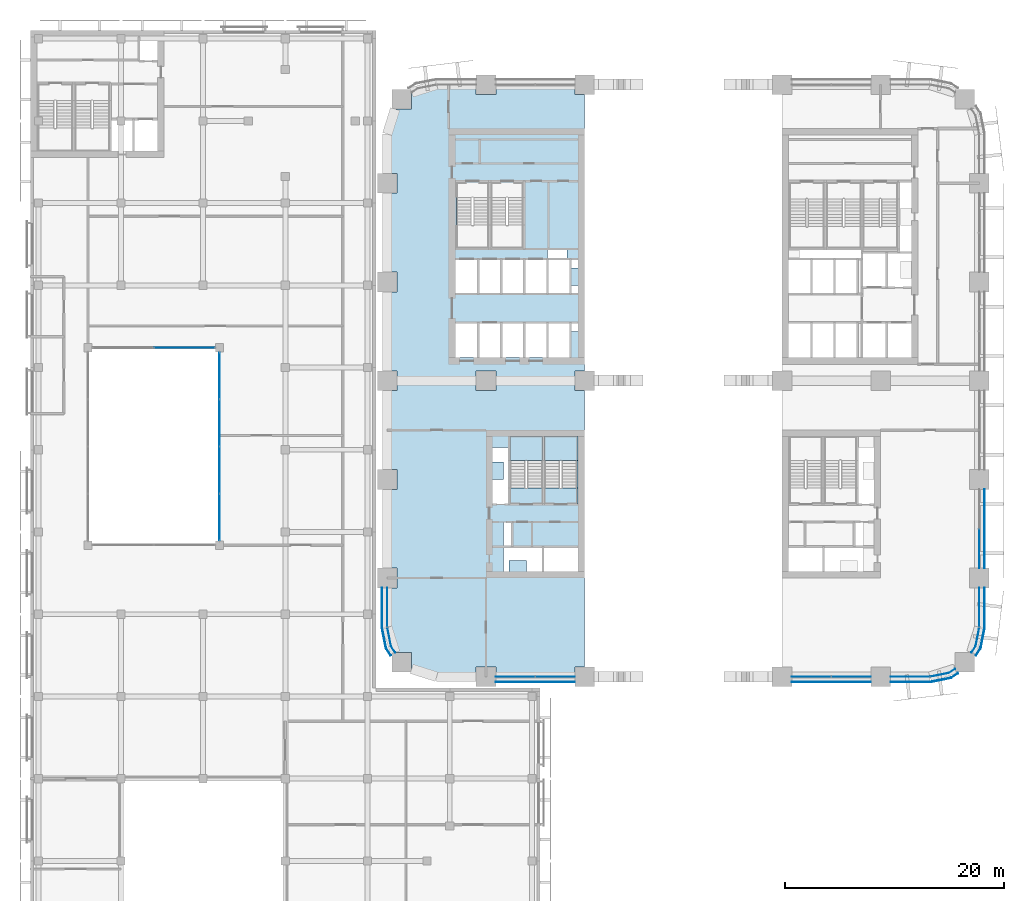
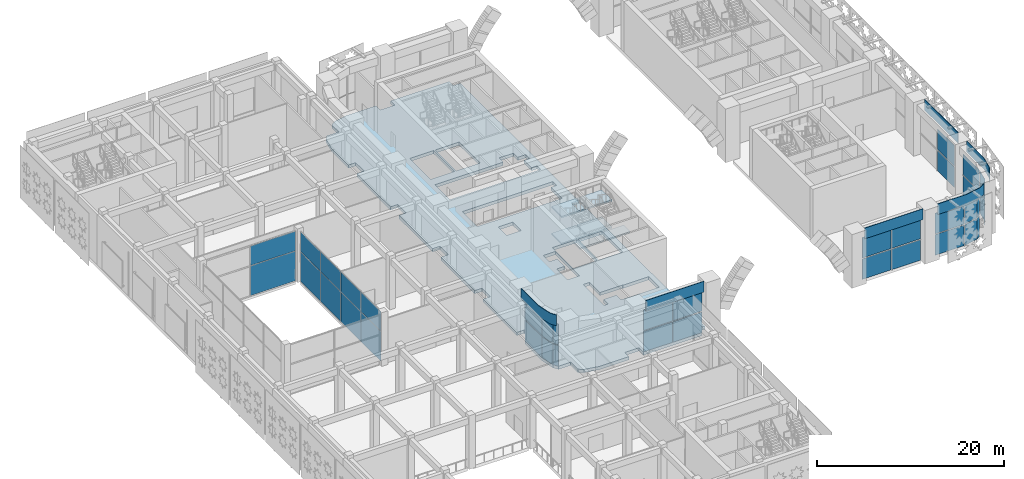
# One storey, part 11 of 42: 38 plates, 7 slabs, 10 elements without a shape of their own.
"""IFC4 building model written with IfcOpenShell, lengths in metres."""

import ifcopenshell
import ifcopenshell.guid

model = None  # the IFC model being written
_history = None  # IfcOwnerHistory: only IFC2X3 demands one
_inside = {}  # id of a spatial element -> (the spatial element, [elements in it])
_under = {}  # id of a project, library or spatial element -> (it, [spatial elements below it])
_declared = {}  # id of a project -> (the project, [libraries it declares])
_typed = {}  # id of a type object -> (the type object, [elements of that type])
_made_of = {}  # id of a material, layer set ... -> (it, [elements and type objects made of it])


def new_model(schema):
    """Start an empty IFC model of exactly this schema.

    Asked for "IFC4X3", IfcOpenShell would pick the latest addendum, in which some entities
    have other attributes; the version numbers below select the first issue.
    IFC2X3 requires an IfcOwnerHistory on every rooted entity: one is made here for all.
    """
    global model, _history
    if schema == "IFC4X3":
        model = ifcopenshell.file(schema_version=(4, 3, 0, 0))
    else:
        model = ifcopenshell.file(schema=schema)
    _inside.clear()
    _under.clear()
    _declared.clear()
    _typed.clear()
    _made_of.clear()
    _history = None
    if model.schema == "IFC2X3":
        org = make("IfcOrganization", Name="unknown")
        user = make(
            "IfcPersonAndOrganization",
            ThePerson=make("IfcPerson", FamilyName="unknown"),
            TheOrganization=org,
        )
        app = make(
            "IfcApplication",
            ApplicationDeveloper=org,
            Version="unknown",
            ApplicationFullName="unknown",
            ApplicationIdentifier="unknown",
        )
        _history = make(
            "IfcOwnerHistory",
            OwningUser=user,
            OwningApplication=app,
            ChangeAction="ADDED",
            CreationDate=0,
        )
    return model


def make(cls, **values):
    """One entity of the class cls with the attributes given. An attribute that is None is left unset."""
    return model.create_entity(
        cls, **{name: value for name, value in values.items() if value is not None}
    )


def rooted(cls, **values):
    """An entity with a GlobalId (a new one), such as an element, a storey or a relation."""
    return make(cls, GlobalId=ifcopenshell.guid.new(), OwnerHistory=_history, **values)


def si_unit(unit_type, name, prefix=None):
    """IfcSIUnit, for example si_unit("LENGTHUNIT", "METRE", prefix="MILLI")."""
    return make("IfcSIUnit", UnitType=unit_type, Prefix=prefix, Name=name)


def assignment(units):
    """IfcUnitAssignment: the units of a project."""
    return None if units is None else make("IfcUnitAssignment", Units=units)


def point(xyz):
    """IfcCartesianPoint."""
    return None if xyz is None else make("IfcCartesianPoint", Coordinates=xyz)


def direction(xyz):
    """IfcDirection."""
    return None if xyz is None else make("IfcDirection", DirectionRatios=xyz)


def frame(location, z_axis=None, x_axis=None):
    """IfcAxis2Placement3D, a coordinate frame: its origin and axes. An axis left out is left unset."""
    return make(
        "IfcAxis2Placement3D",
        Location=point(location),
        Axis=direction(z_axis),
        RefDirection=direction(x_axis),
    )


def frame_2d(location, x_axis=None):
    """IfcAxis2Placement2D, a coordinate frame in the plane: its origin and x axis."""
    return make(
        "IfcAxis2Placement2D", Location=point(location), RefDirection=direction(x_axis)
    )


def origin():
    """The frame at (0, 0, 0) with its axes left unset."""
    return frame((0.0, 0.0, 0.0))


def origin_2d():
    """The frame at (0, 0) in the plane with its x axis left unset."""
    return frame_2d((0.0, 0.0))


def place(relative_to, where):
    """IfcLocalPlacement: puts the frame where relative to a parent placement (None: the world)."""
    return make(
        "IfcLocalPlacement", PlacementRelTo=relative_to, RelativePlacement=where
    )


def context(
    kind, dimensions, precision=None, world=None, true_north=None, identifier=None
):
    """IfcGeometricRepresentationContext, for example the 3D "Model" context."""
    return make(
        "IfcGeometricRepresentationContext",
        ContextIdentifier=identifier,
        ContextType=kind,
        CoordinateSpaceDimension=dimensions,
        Precision=precision,
        WorldCoordinateSystem=world,
        TrueNorth=true_north,
    )


def subcontext(parent, identifier, kind, view, scale=None):
    """IfcGeometricRepresentationSubContext, for example "Body" below "Model"."""
    return make(
        "IfcGeometricRepresentationSubContext",
        ContextIdentifier=identifier,
        ContextType=kind,
        ParentContext=parent,
        TargetScale=scale,
        TargetView=view,
    )


def project(units=None, contexts=None):
    """IfcProject with its units and contexts."""
    return rooted(
        "IfcProject",
        Name="project",
        RepresentationContexts=contexts,
        UnitsInContext=assignment(units),
    )


def spatial(cls, under=None, at=None, **own):
    """A site, building, storey or space (cls), placed at a placement, below another one or the project."""
    s = rooted(cls, ObjectPlacement=at, **own)
    if under is not None:
        _under.setdefault(under.id(), (under, []))[1].append(s)
    return s


def polyline(points):
    """IfcPolyline through the points."""
    return make("IfcPolyline", Points=[point(p) for p in points])


def profile(cls, at=None, kind="AREA", **sizes):
    """A parametric profile (cls). Its sizes go by their IFC names, for example OverallWidth=200.0."""
    return make(cls, ProfileType=kind, Position=at, **sizes)


def rectangle(**sizes):
    """IfcRectangleProfileDef."""
    return profile("IfcRectangleProfileDef", **sizes)


def outline(outer, holes=None, kind="AREA"):
    """IfcArbitraryClosedProfileDef: a profile drawn as a closed curve; with holes, ...WithVoids."""
    if holes is None:
        return make("IfcArbitraryClosedProfileDef", ProfileType=kind, OuterCurve=outer)
    return make(
        "IfcArbitraryProfileDefWithVoids",
        ProfileType=kind,
        OuterCurve=outer,
        InnerCurves=holes,
    )


def extrude(swept, where, along, depth):
    """IfcExtrudedAreaSolid: the profile swept, set in the frame where, extruded along a direction by depth."""
    return make(
        "IfcExtrudedAreaSolid",
        SweptArea=swept,
        Position=where,
        ExtrudedDirection=direction(along),
        Depth=depth,
    )


def shape(context_of_items, identifier, shape_type, items):
    """IfcShapeRepresentation: the items that make up one representation, for example the "Body"."""
    return make(
        "IfcShapeRepresentation",
        ContextOfItems=context_of_items,
        RepresentationIdentifier=identifier,
        RepresentationType=shape_type,
        Items=items,
    )


def material(Name=None, Category=None):
    """IfcMaterial."""
    return make("IfcMaterial", Name=Name, Category=Category)


def layer(
    of_material, thickness, ventilated=None, Name=None, Category=None, Priority=None
):
    """IfcMaterialLayer: one layer of a wall or slab, of a material (None: an air gap)."""
    return make(
        "IfcMaterialLayer",
        Material=of_material,
        LayerThickness=thickness,
        IsVentilated=ventilated,
        Name=Name,
        Category=Category,
        Priority=Priority,
    )


def layer_set(layers, Name=None):
    """IfcMaterialLayerSet."""
    return make("IfcMaterialLayerSet", MaterialLayers=layers, LayerSetName=Name)


def made_of(thing, what):
    """Note that an element or type object is made of a material, layer set ...; save() writes the relation."""
    if what is not None:
        _made_of.setdefault(what.id(), (what, []))[1].append(thing)
    return thing


def type_object(cls, material=None, **own):
    """A type object (cls), such as IfcWallType, which elements share."""
    return made_of(rooted(cls, **own), material)


def element(
    cls,
    number,
    at=None,
    inside=None,
    cuts=None,
    type_object=None,
    material=None,
    context=None,
    identifier="Body",
    shape_type=None,
    held_by="IfcProductDefinitionShape",
    body=None,
    shapes=None,
    **own,
):
    """One element of the class cls, such as IfcWall. Its Tag is "e" and its number.

    at: its placement. inside: the storey or other place that contains it. cuts: it is an
    opening in that element (IfcRelVoidsElement). A single representation is given by context,
    identifier, shape_type and body (its items); several are given by shapes. held_by: the class
    of the entity that holds the representations. save() writes the other relations.
    """
    e = rooted(cls, Tag="e%d" % number, ObjectPlacement=at, **own)
    if body is not None:
        shapes = [shape(context, identifier, shape_type, body)]
    if shapes is not None:
        e.Representation = make(held_by, Representations=shapes)
    if inside is not None:
        _inside.setdefault(inside.id(), (inside, []))[1].append(e)
    if cuts is not None:
        rooted(
            "IfcRelVoidsElement", RelatingBuildingElement=cuts, RelatedOpeningElement=e
        )
    if type_object is not None:
        _typed.setdefault(type_object.id(), (type_object, []))[1].append(e)
    return made_of(e, material)


def aggregate(whole, parts):
    """IfcRelAggregates: a whole, such as a stair, and the parts it consists of."""
    return rooted("IfcRelAggregates", RelatingObject=whole, RelatedObjects=parts)


def save(model, path):
    """Write the relations noted so far, then the file.

    IfcRelAggregates (storeys below a building ...), IfcRelContainedInSpatialStructure (elements
    in a storey), IfcRelDefinesByType, IfcRelAssociatesMaterial and IfcRelDeclares: one each for
    every whole, place, type object, material and project.
    """
    for whole, parts in _under.values():
        aggregate(whole, parts)
    for where, things in _inside.values():
        rooted(
            "IfcRelContainedInSpatialStructure",
            RelatedElements=things,
            RelatingStructure=where,
        )
    for kind, things in _typed.values():
        rooted("IfcRelDefinesByType", RelatedObjects=things, RelatingType=kind)
    for what, things in _made_of.values():
        rooted("IfcRelAssociatesMaterial", RelatedObjects=things, RelatingMaterial=what)
    for by, libraries in _declared.values():
        rooted("IfcRelDeclares", RelatingContext=by, RelatedDefinitions=libraries)
    model.write(path)


model = new_model("IFC4")

# Units and contexts
model_context = context("Model", 3, precision=1e-05, world=origin(), true_north=direction((0.0, 1.0)))
body_context = subcontext(model_context, "Body", "Model", "MODEL_VIEW")
ifc_project = project(units=[si_unit("LENGTHUNIT", "METRE"), si_unit("AREAUNIT", "SQUARE_METRE"), si_unit("VOLUMEUNIT", "CUBIC_METRE"), si_unit("PLANEANGLEUNIT", "RADIAN"), si_unit("MASSUNIT", "GRAM", prefix="KILO")], contexts=[model_context])

# Site, building, storey
site_placement = place(None, origin())
site = spatial("IfcSite", under=ifc_project, at=site_placement, CompositionType="ELEMENT")
building_placement = place(site_placement, origin())
building = spatial("IfcBuilding", under=site, at=building_placement, Name="Tessera Arch", CompositionType="ELEMENT")
storey_placement = place(building_placement, frame((0.0, 0.0, 14.0)))
storey = spatial("IfcBuildingStorey", under=building, at=storey_placement, Name="L02", CompositionType="ELEMENT", Elevation=14.0)

# Curtain wall, plates
ifc_material_1 = material(Name="CW2 curtain wall")
curtain_wall_type_1 = type_object("IfcCurtainWallType", Name="CW2 curtain wall", PredefinedType="NOTDEFINED", material=ifc_material_1)
curtain_wall_1_placement = place(storey_placement, origin())
curtain_wall_1 = element("IfcCurtainWall", 1, at=curtain_wall_1_placement, inside=storey, type_object=curtain_wall_type_1, Name="CW2 curtain wall W0.0/5 L02", PredefinedType="NOTDEFINED")
ifc_material_2 = material(Name="Clear low-e glass", Category="glass")
ifc_layer_1 = layer(ifc_material_2, 0.028076171875)
ifc_layer_set_1 = layer_set([ifc_layer_1], Name="CW2 glass panel")
plate_type_1 = type_object("IfcPlateType", Name="CW2 glass panel", PredefinedType="CURTAIN_PANEL", material=ifc_layer_set_1)
plate_1_placement = place(storey_placement, frame((0.0, 6.320068359375, 0.0), z_axis=(0.0, 0.0, 1.0), x_axis=(0.0, -1.0, 0.0)))
plate_1 = element("IfcPlate", 2, at=plate_1_placement, type_object=plate_type_1, Name="CW2 glass panel W0.0/5 1.1", PredefinedType="CURTAIN_PANEL", context=body_context, shape_type="SweptSolid", body=[
    extrude(rectangle(XDim=3.56005859375, YDim=0.028076171875, at=origin_2d()), origin(), (0.0, 0.0, 1.0), 2.695068359375),
])
plate_2_placement = place(storey_placement, origin())
plate_2 = element("IfcPlate", 3, at=plate_2_placement, type_object=plate_type_1, Name="CW2 curved glass panel W0.0/5 2.1", PredefinedType="CURTAIN_PANEL", context=body_context, shape_type="SweptSolid", body=[
    extrude(outline(polyline([(0.355712890625, 2.783447265625), (0.021484375, 4.46337890625), (-0.005859375, 4.4580078125), (0.329345703125, 2.7724609375), (0.705078125, 2.210205078125), (0.728271484375, 2.225830078125), (0.355712890625, 2.783447265625)])), origin(), (0.0, 0.0, 1.0), 2.695068359375),
])
plate_3_placement = place(storey_placement, frame((0.0, 6.320068359375, 2.794921875), z_axis=(0.0, 0.0, 1.0), x_axis=(0.0, -1.0, 0.0)))
plate_3 = element("IfcPlate", 4, at=plate_3_placement, type_object=plate_type_1, Name="CW2 glass panel W0.0/5 1.2", PredefinedType="CURTAIN_PANEL", context=body_context, shape_type="SweptSolid", body=[
    extrude(rectangle(XDim=3.56005859375, YDim=0.028076171875, at=origin_2d()), origin(), (0.0, 0.0, 1.0), 2.695068359375),
])
plate_4_placement = place(storey_placement, frame((0.0, 0.0, 2.794921875)))
plate_4 = element("IfcPlate", 5, at=plate_4_placement, type_object=plate_type_1, Name="CW2 curved glass panel W0.0/5 2.2", PredefinedType="CURTAIN_PANEL", context=body_context, shape_type="SweptSolid", body=[
    extrude(outline(polyline([(0.355712890625, 2.783447265625), (0.021484375, 4.46337890625), (-0.005859375, 4.4580078125), (0.329345703125, 2.7724609375), (0.705078125, 2.210205078125), (0.728271484375, 2.225830078125), (0.355712890625, 2.783447265625)])), origin(), (0.0, 0.0, 1.0), 2.695068359375),
])

curtain_wall_2_placement = place(storey_placement, origin())
curtain_wall_2 = element("IfcCurtainWall", 6, at=curtain_wall_2_placement, inside=storey, type_object=curtain_wall_type_1, Name="CW2 curtain wall S0.36/1 L02", PredefinedType="NOTDEFINED")
plate_5_placement = place(storey_placement, frame((47.679931640625, 0.0, 0.0), z_axis=(0.0, 0.0, 1.0), x_axis=(1.0, 0.0, 0.0)))
plate_5 = element("IfcPlate", 7, at=plate_5_placement, type_object=plate_type_1, Name="CW2 glass panel S0.36/1 1.1", PredefinedType="CURTAIN_PANEL", context=body_context, shape_type="SweptSolid", body=[
    extrude(rectangle(XDim=3.56005859375, YDim=0.028076171875, at=origin_2d()), origin(), (0.0, 0.0, 1.0), 2.695068359375),
])
plate_6_placement = place(storey_placement, origin())
plate_6 = element("IfcPlate", 8, at=plate_6_placement, type_object=plate_type_1, Name="CW2 curved glass panel S0.36/1 2.1", PredefinedType="CURTAIN_PANEL", context=body_context, shape_type="SweptSolid", body=[
    extrude(outline(polyline([(51.216552734375, 0.355712890625), (49.53662109375, 0.021484375), (49.5419921875, -0.005859375), (51.2275390625, 0.329345703125), (51.789794921875, 0.705078125), (51.774169921875, 0.728271484375), (51.216552734375, 0.355712890625)])), origin(), (0.0, 0.0, 1.0), 2.695068359375),
])
plate_7_placement = place(storey_placement, frame((47.679931640625, 0.0, 2.794921875), z_axis=(0.0, 0.0, 1.0), x_axis=(1.0, 0.0, 0.0)))
plate_7 = element("IfcPlate", 9, at=plate_7_placement, type_object=plate_type_1, Name="CW2 glass panel S0.36/1 1.2", PredefinedType="CURTAIN_PANEL", context=body_context, shape_type="SweptSolid", body=[
    extrude(rectangle(XDim=3.56005859375, YDim=0.028076171875, at=origin_2d()), origin(), (0.0, 0.0, 1.0), 2.695068359375),
])
plate_8_placement = place(storey_placement, frame((0.0, 0.0, 2.794921875)))
plate_8 = element("IfcPlate", 10, at=plate_8_placement, type_object=plate_type_1, Name="CW2 curved glass panel S0.36/1 2.2", PredefinedType="CURTAIN_PANEL", context=body_context, shape_type="SweptSolid", body=[
    extrude(outline(polyline([(51.216552734375, 0.355712890625), (49.53662109375, 0.021484375), (49.5419921875, -0.005859375), (51.2275390625, 0.329345703125), (51.789794921875, 0.705078125), (51.774169921875, 0.728271484375), (51.216552734375, 0.355712890625)])), origin(), (0.0, 0.0, 1.0), 2.695068359375),
])

curtain_wall_3_placement = place(storey_placement, origin())
curtain_wall_3 = element("IfcCurtainWall", 11, at=curtain_wall_3_placement, inside=storey, type_object=curtain_wall_type_1, Name="CW2 curtain wall E54.0/5 L02", PredefinedType="NOTDEFINED")
plate_9_placement = place(storey_placement, frame((54.0, 6.320068359375, 0.0), z_axis=(0.0, 0.0, 1.0), x_axis=(0.0, 1.0, 0.0)))
plate_9 = element("IfcPlate", 12, at=plate_9_placement, type_object=plate_type_1, Name="CW2 glass panel E54.0/5 1.1", PredefinedType="CURTAIN_PANEL", context=body_context, shape_type="SweptSolid", body=[
    extrude(rectangle(XDim=3.56005859375, YDim=0.028076171875, at=origin_2d()), origin(), (0.0, 0.0, 1.0), 2.695068359375),
])
plate_10_placement = place(storey_placement, origin())
plate_10 = element("IfcPlate", 13, at=plate_10_placement, type_object=plate_type_1, Name="CW2 curved glass panel E54.0/5 2.1", PredefinedType="CURTAIN_PANEL", context=body_context, shape_type="SweptSolid", body=[
    extrude(outline(polyline([(53.644287109375, 2.783447265625), (53.271728515625, 2.225830078125), (53.294921875, 2.210205078125), (53.670654296875, 2.7724609375), (54.005859375, 4.4580078125), (53.978515625, 4.46337890625), (53.644287109375, 2.783447265625)])), origin(), (0.0, 0.0, 1.0), 2.695068359375),
])
plate_11_placement = place(storey_placement, frame((54.0, 6.320068359375, 2.794921875), z_axis=(0.0, 0.0, 1.0), x_axis=(0.0, 1.0, 0.0)))
plate_11 = element("IfcPlate", 14, at=plate_11_placement, type_object=plate_type_1, Name="CW2 glass panel E54.0/5 1.2", PredefinedType="CURTAIN_PANEL", context=body_context, shape_type="SweptSolid", body=[
    extrude(rectangle(XDim=3.56005859375, YDim=0.028076171875, at=origin_2d()), origin(), (0.0, 0.0, 1.0), 2.695068359375),
])
plate_12_placement = place(storey_placement, frame((0.0, 0.0, 2.794921875)))
plate_12 = element("IfcPlate", 15, at=plate_12_placement, type_object=plate_type_1, Name="CW2 curved glass panel E54.0/5 2.2", PredefinedType="CURTAIN_PANEL", context=body_context, shape_type="SweptSolid", body=[
    extrude(outline(polyline([(53.644287109375, 2.783447265625), (53.271728515625, 2.225830078125), (53.294921875, 2.210205078125), (53.670654296875, 2.7724609375), (54.005859375, 4.4580078125), (53.978515625, 4.46337890625), (53.644287109375, 2.783447265625)])), origin(), (0.0, 0.0, 1.0), 2.695068359375),
])

# Plate
ifc_material_3 = material(Name="Pale anodised aluminium panel", Category="aluminium")
ifc_layer_2 = layer(ifc_material_3, 0.06005859375)
ifc_layer_set_2 = layer_set([ifc_layer_2], Name="CW2 spandrel panel")
plate_type_2 = type_object("IfcPlateType", Name="CW2 spandrel panel", PredefinedType="CURTAIN_PANEL", material=ifc_layer_set_2)
plate_13_placement = place(storey_placement, frame((0.0, 0.0, 5.590087890625)))
plate_13 = element("IfcPlate", 16, at=plate_13_placement, type_object=plate_type_2, Name="CW2 spandrel panel W0.0/5", PredefinedType="CURTAIN_PANEL", context=body_context, shape_type="SweptSolid", body=[
    extrude(outline(polyline([(-0.449951171875, 4.500732421875), (-0.449951171875, 8.10009765625), (-0.510009765625, 8.10009765625), (-0.510009765625, 4.499267578125), (-0.507568359375, 4.449951171875), (-0.500244140625, 4.401123046875), (-0.157470703125, 2.677734375), (-0.1455078125, 2.6298828125), (-0.128662109375, 2.582763671875), (-0.107177734375, 2.537353515625), (-0.08203125, 2.4951171875), (0.292724609375, 1.9345703125), (0.342529296875, 1.968017578125), (-0.03125, 2.52734375), (-0.05419921875, 2.565673828125), (-0.0732421875, 2.605712890625), (-0.088134765625, 2.647216796875), (-0.09912109375, 2.69091796875), (-0.441162109375, 4.411376953125), (-0.44775390625, 4.455810546875), (-0.449951171875, 4.500732421875)])), origin(), (0.0, 0.0, 1.0), 1.409912109375),
])

aggregate(curtain_wall_1, [plate_1, plate_2, plate_3, plate_4, plate_13])

plate_14_placement = place(storey_placement, frame((0.0, 0.0, 5.590087890625)))
plate_14 = element("IfcPlate", 17, at=plate_14_placement, type_object=plate_type_2, Name="CW2 spandrel panel S0.36/1", PredefinedType="CURTAIN_PANEL", context=body_context, shape_type="SweptSolid", body=[
    extrude(outline(polyline([(49.499267578125, -0.449951171875), (45.89990234375, -0.449951171875), (45.89990234375, -0.510009765625), (49.500732421875, -0.510009765625), (49.550048828125, -0.507568359375), (49.598876953125, -0.500244140625), (51.322265625, -0.157470703125), (51.3701171875, -0.1455078125), (51.417236328125, -0.128662109375), (51.462646484375, -0.107177734375), (51.5048828125, -0.08203125), (52.0654296875, 0.292724609375), (52.031982421875, 0.342529296875), (51.47265625, -0.03125), (51.434326171875, -0.05419921875), (51.394287109375, -0.0732421875), (51.352783203125, -0.088134765625), (51.30908203125, -0.09912109375), (49.588623046875, -0.441162109375), (49.544189453125, -0.44775390625), (49.499267578125, -0.449951171875)])), origin(), (0.0, 0.0, 1.0), 1.409912109375),
])

aggregate(curtain_wall_2, [plate_5, plate_6, plate_7, plate_8, plate_14])

plate_15_placement = place(storey_placement, frame((0.0, 0.0, 5.590087890625)))
plate_15 = element("IfcPlate", 18, at=plate_15_placement, type_object=plate_type_2, Name="CW2 spandrel panel E54.0/5", PredefinedType="CURTAIN_PANEL", context=body_context, shape_type="SweptSolid", body=[
    extrude(outline(polyline([(54.03125, 2.52734375), (53.657470703125, 1.968017578125), (53.707275390625, 1.9345703125), (54.08203125, 2.4951171875), (54.107177734375, 2.537353515625), (54.128662109375, 2.582763671875), (54.1455078125, 2.6298828125), (54.157470703125, 2.677734375), (54.500244140625, 4.401123046875), (54.507568359375, 4.449951171875), (54.510009765625, 4.499267578125), (54.510009765625, 8.10009765625), (54.449951171875, 8.10009765625), (54.449951171875, 4.500732421875), (54.44775390625, 4.455810546875), (54.441162109375, 4.411376953125), (54.09912109375, 2.69091796875), (54.088134765625, 2.647216796875), (54.0732421875, 2.605712890625), (54.05419921875, 2.565673828125), (54.03125, 2.52734375)])), origin(), (0.0, 0.0, 1.0), 1.409912109375),
])

aggregate(curtain_wall_3, [plate_9, plate_10, plate_11, plate_12, plate_15])

# Curtain wall, plates
ifc_material_4 = material(Name="CW6 curtain wall")
curtain_wall_type_2 = type_object("IfcCurtainWallType", Name="CW6 curtain wall", PredefinedType="NOTDEFINED", material=ifc_material_4)
curtain_wall_4_placement = place(storey_placement, origin())
curtain_wall_4 = element("IfcCurtainWall", 19, at=curtain_wall_4_placement, inside=storey, type_object=curtain_wall_type_2, Name="CW6 curtain wall S0.0/1 L02", PredefinedType="NOTDEFINED")
ifc_material_5 = material(Name="Clear low-e glass", Category="glass")
ifc_layer_3 = layer(ifc_material_5, 0.028076171875)
ifc_layer_set_3 = layer_set([ifc_layer_3], Name="CW6 glass panel")
plate_type_3 = type_object("IfcPlateType", Name="CW6 glass panel", PredefinedType="CURTAIN_PANEL", material=ifc_layer_set_3)
plate_16_placement = place(storey_placement, frame((11.6826171875, 0.0, 0.0), z_axis=(0.0, 0.0, 1.0), x_axis=(1.0, 0.0, 0.0)))
plate_16 = element("IfcPlate", 20, at=plate_16_placement, type_object=plate_type_3, Name="CW6 glass panel S0.0/1 1.1.1", PredefinedType="CURTAIN_PANEL", context=body_context, shape_type="SweptSolid", body=[
    extrude(rectangle(XDim=3.56494140625, YDim=0.028076171875, at=origin_2d()), origin(), (0.0, 0.0, 1.0), 2.675048828125),
])
plate_17_placement = place(storey_placement, frame((11.6826171875, 0.0, 2.794921875), z_axis=(0.0, 0.0, 1.0), x_axis=(1.0, 0.0, 0.0)))
plate_17 = element("IfcPlate", 21, at=plate_17_placement, type_object=plate_type_3, Name="CW6 glass panel S0.0/1 1.1.2", PredefinedType="CURTAIN_PANEL", context=body_context, shape_type="SweptSolid", body=[
    extrude(rectangle(XDim=3.56494140625, YDim=0.028076171875, at=origin_2d()), origin(), (0.0, 0.0, 1.0), 2.675048828125),
])
plate_18_placement = place(storey_placement, frame((15.3173828125, 0.0, 0.0), z_axis=(0.0, 0.0, 1.0), x_axis=(1.0, 0.0, 0.0)))
plate_18 = element("IfcPlate", 22, at=plate_18_placement, type_object=plate_type_3, Name="CW6 glass panel S0.0/1 1.2.1", PredefinedType="CURTAIN_PANEL", context=body_context, shape_type="SweptSolid", body=[
    extrude(rectangle(XDim=3.56494140625, YDim=0.028076171875, at=origin_2d()), origin(), (0.0, 0.0, 1.0), 2.675048828125),
])
plate_19_placement = place(storey_placement, frame((15.3173828125, 0.0, 2.794921875), z_axis=(0.0, 0.0, 1.0), x_axis=(1.0, 0.0, 0.0)))
plate_19 = element("IfcPlate", 23, at=plate_19_placement, type_object=plate_type_3, Name="CW6 glass panel S0.0/1 1.2.2", PredefinedType="CURTAIN_PANEL", context=body_context, shape_type="SweptSolid", body=[
    extrude(rectangle(XDim=3.56494140625, YDim=0.028076171875, at=origin_2d()), origin(), (0.0, 0.0, 1.0), 2.675048828125),
])

curtain_wall_5_placement = place(storey_placement, origin())
curtain_wall_5 = element("IfcCurtainWall", 24, at=curtain_wall_5_placement, inside=storey, type_object=curtain_wall_type_2, Name="CW6 curtain wall E54.0/0 L02", PredefinedType="NOTDEFINED")
plate_20_placement = place(storey_placement, frame((54.0, 11.6826171875, 0.0), z_axis=(0.0, 0.0, 1.0), x_axis=(0.0, 1.0, 0.0)))
plate_20 = element("IfcPlate", 25, at=plate_20_placement, type_object=plate_type_3, Name="CW6 glass panel E54.0/0 1.1.1", PredefinedType="CURTAIN_PANEL", context=body_context, shape_type="SweptSolid", body=[
    extrude(rectangle(XDim=3.56494140625, YDim=0.028076171875, at=origin_2d()), origin(), (0.0, 0.0, 1.0), 2.675048828125),
])
plate_21_placement = place(storey_placement, frame((54.0, 11.6826171875, 2.794921875), z_axis=(0.0, 0.0, 1.0), x_axis=(0.0, 1.0, 0.0)))
plate_21 = element("IfcPlate", 26, at=plate_21_placement, type_object=plate_type_3, Name="CW6 glass panel E54.0/0 1.1.2", PredefinedType="CURTAIN_PANEL", context=body_context, shape_type="SweptSolid", body=[
    extrude(rectangle(XDim=3.56494140625, YDim=0.028076171875, at=origin_2d()), origin(), (0.0, 0.0, 1.0), 2.675048828125),
])

curtain_wall_6_placement = place(storey_placement, origin())
curtain_wall_6 = element("IfcCurtainWall", 27, at=curtain_wall_6_placement, inside=storey, type_object=curtain_wall_type_2, Name="CW6 curtain wall S0.36/0 L02", PredefinedType="NOTDEFINED")
plate_22_placement = place(storey_placement, frame((38.6826171875, 0.0, 0.0), z_axis=(0.0, 0.0, 1.0), x_axis=(1.0, 0.0, 0.0)))
plate_22 = element("IfcPlate", 28, at=plate_22_placement, type_object=plate_type_3, Name="CW6 glass panel S0.36/0 1.1.1", PredefinedType="CURTAIN_PANEL", context=body_context, shape_type="SweptSolid", body=[
    extrude(rectangle(XDim=3.56494140625, YDim=0.028076171875, at=origin_2d()), origin(), (0.0, 0.0, 1.0), 2.675048828125),
])
plate_23_placement = place(storey_placement, frame((38.6826171875, 0.0, 2.794921875), z_axis=(0.0, 0.0, 1.0), x_axis=(1.0, 0.0, 0.0)))
plate_23 = element("IfcPlate", 29, at=plate_23_placement, type_object=plate_type_3, Name="CW6 glass panel S0.36/0 1.1.2", PredefinedType="CURTAIN_PANEL", context=body_context, shape_type="SweptSolid", body=[
    extrude(rectangle(XDim=3.56494140625, YDim=0.028076171875, at=origin_2d()), origin(), (0.0, 0.0, 1.0), 2.675048828125),
])
plate_24_placement = place(storey_placement, frame((42.3173828125, 0.0, 0.0), z_axis=(0.0, 0.0, 1.0), x_axis=(1.0, 0.0, 0.0)))
plate_24 = element("IfcPlate", 30, at=plate_24_placement, type_object=plate_type_3, Name="CW6 glass panel S0.36/0 1.2.1", PredefinedType="CURTAIN_PANEL", context=body_context, shape_type="SweptSolid", body=[
    extrude(rectangle(XDim=3.56494140625, YDim=0.028076171875, at=origin_2d()), origin(), (0.0, 0.0, 1.0), 2.675048828125),
])
plate_25_placement = place(storey_placement, frame((42.3173828125, 0.0, 2.794921875), z_axis=(0.0, 0.0, 1.0), x_axis=(1.0, 0.0, 0.0)))
plate_25 = element("IfcPlate", 31, at=plate_25_placement, type_object=plate_type_3, Name="CW6 glass panel S0.36/0 1.2.2", PredefinedType="CURTAIN_PANEL", context=body_context, shape_type="SweptSolid", body=[
    extrude(rectangle(XDim=3.56494140625, YDim=0.028076171875, at=origin_2d()), origin(), (0.0, 0.0, 1.0), 2.675048828125),
])

# Plate
ifc_material_6 = material(Name="Pale anodised aluminium panel", Category="aluminium")
ifc_layer_4 = layer(ifc_material_6, 0.06005859375)
ifc_layer_set_4 = layer_set([ifc_layer_4], Name="CW6 spandrel panel")
plate_type_4 = type_object("IfcPlateType", Name="CW6 spandrel panel", PredefinedType="CURTAIN_PANEL", material=ifc_layer_set_4)
plate_26_placement = place(storey_placement, frame((13.5, -0.47998046875, 5.58984375), z_axis=(0.0, 0.0, 1.0), x_axis=(1.0, 0.0, 0.0)))
plate_26 = element("IfcPlate", 32, at=plate_26_placement, type_object=plate_type_4, Name="CW6 spandrel panel S0.0/1", PredefinedType="CURTAIN_PANEL", context=body_context, shape_type="SweptSolid", body=[
    extrude(rectangle(XDim=7.199951171875, YDim=0.06005859375, at=origin_2d()), origin(), (0.0, 0.0, 1.0), 1.409912109375),
])

aggregate(curtain_wall_4, [plate_16, plate_17, plate_18, plate_19, plate_26])

plate_27_placement = place(storey_placement, frame((54.47998046875, 13.5, 5.58984375), z_axis=(0.0, 0.0, 1.0), x_axis=(0.0, 1.0, 0.0)))
plate_27 = element("IfcPlate", 33, at=plate_27_placement, type_object=plate_type_4, Name="CW6 spandrel panel E54.0/0", PredefinedType="CURTAIN_PANEL", context=body_context, shape_type="SweptSolid", body=[
    extrude(rectangle(XDim=7.199951171875, YDim=0.06005859375, at=origin_2d()), origin(), (0.0, 0.0, 1.0), 1.409912109375),
])

aggregate(curtain_wall_5, [plate_20, plate_21, plate_27])

plate_28_placement = place(storey_placement, frame((40.5, -0.47998046875, 5.58984375), z_axis=(0.0, 0.0, 1.0), x_axis=(1.0, 0.0, 0.0)))
plate_28 = element("IfcPlate", 34, at=plate_28_placement, type_object=plate_type_4, Name="CW6 spandrel panel S0.36/0", PredefinedType="CURTAIN_PANEL", context=body_context, shape_type="SweptSolid", body=[
    extrude(rectangle(XDim=7.199951171875, YDim=0.06005859375, at=origin_2d()), origin(), (0.0, 0.0, 1.0), 1.409912109375),
])

aggregate(curtain_wall_6, [plate_22, plate_23, plate_24, plate_25, plate_28])

# Curtain wall, plates
ifc_material_7 = material(Name="Aluminium and clear glass", Category="aluminium")
ifc_layer_5 = layer(ifc_material_7, 0.1201171875)
ifc_layer_set_5 = layer_set([ifc_layer_5], Name="Courtyard curtain wall")
curtain_wall_type_3 = type_object("IfcCurtainWallType", Name="Courtyard curtain wall", PredefinedType="NOTDEFINED", material=ifc_layer_set_5)
curtain_wall_7_placement = place(storey_placement, origin())
curtain_wall_7 = element("IfcCurtainWall", 35, at=curtain_wall_7_placement, inside=storey, type_object=curtain_wall_type_3, Name="Courtyard curtain wall L02 2", PredefinedType="NOTDEFINED")
ifc_material_8 = material(Name="Clear low-e laminated glass", Category="glass")
ifc_layer_6 = layer(ifc_material_8, 0.028076171875)
ifc_layer_set_6 = layer_set([ifc_layer_6], Name="Courtyard glass panel")
plate_type_5 = type_object("IfcPlateType", Name="Courtyard glass panel", PredefinedType="CURTAIN_PANEL", material=ifc_layer_set_6)
plate_29_placement = place(storey_placement, frame((-15.300048828125, 14.546142578125, 0.06005859375), z_axis=(0.0, 0.0, 1.0), x_axis=(0.0, 1.0, 0.0)))
plate_29 = element("IfcPlate", 36, at=plate_29_placement, type_object=plate_type_5, Name="MCW1 panel 1.1", PredefinedType="CURTAIN_PANEL", context=body_context, shape_type="SweptSolid", body=[
    extrude(rectangle(XDim=4.222412109375, YDim=0.028076171875, at=origin_2d()), origin(), (0.0, 0.0, 1.0), 3.864013671875),
])
plate_30_placement = place(storey_placement, frame((-15.300048828125, 14.546142578125, 3.984130859375), z_axis=(0.0, 0.0, 1.0), x_axis=(0.0, 1.0, 0.0)))
plate_30 = element("IfcPlate", 37, at=plate_30_placement, type_object=plate_type_5, Name="MCW1 panel 1.2", PredefinedType="CURTAIN_PANEL", context=body_context, shape_type="SweptSolid", body=[
    extrude(rectangle(XDim=4.222412109375, YDim=0.028076171875, at=origin_2d()), origin(), (0.0, 0.0, 1.0), 2.5458984375),
])
plate_31_placement = place(storey_placement, frame((-15.300048828125, 18.84375, 0.06005859375), z_axis=(0.0, 0.0, 1.0), x_axis=(0.0, 1.0, 0.0)))
plate_31 = element("IfcPlate", 38, at=plate_31_placement, type_object=plate_type_5, Name="MCW1 panel 2.1", PredefinedType="CURTAIN_PANEL", context=body_context, shape_type="SweptSolid", body=[
    extrude(rectangle(XDim=4.25244140625, YDim=0.028076171875, at=origin_2d()), origin(), (0.0, 0.0, 1.0), 3.864013671875),
])
plate_32_placement = place(storey_placement, frame((-15.300048828125, 18.84375, 3.984130859375), z_axis=(0.0, 0.0, 1.0), x_axis=(0.0, 1.0, 0.0)))
plate_32 = element("IfcPlate", 39, at=plate_32_placement, type_object=plate_type_5, Name="MCW1 panel 2.2", PredefinedType="CURTAIN_PANEL", context=body_context, shape_type="SweptSolid", body=[
    extrude(rectangle(XDim=4.25244140625, YDim=0.028076171875, at=origin_2d()), origin(), (0.0, 0.0, 1.0), 2.5458984375),
])
plate_33_placement = place(storey_placement, frame((-15.300048828125, 23.15625, 0.06005859375), z_axis=(0.0, 0.0, 1.0), x_axis=(0.0, 1.0, 0.0)))
plate_33 = element("IfcPlate", 40, at=plate_33_placement, type_object=plate_type_5, Name="MCW1 panel 3.1", PredefinedType="CURTAIN_PANEL", context=body_context, shape_type="SweptSolid", body=[
    extrude(rectangle(XDim=4.25244140625, YDim=0.028076171875, at=origin_2d()), origin(), (0.0, 0.0, 1.0), 3.864013671875),
])
plate_34_placement = place(storey_placement, frame((-15.300048828125, 23.15625, 3.984130859375), z_axis=(0.0, 0.0, 1.0), x_axis=(0.0, 1.0, 0.0)))
plate_34 = element("IfcPlate", 41, at=plate_34_placement, type_object=plate_type_5, Name="MCW1 panel 3.2", PredefinedType="CURTAIN_PANEL", context=body_context, shape_type="SweptSolid", body=[
    extrude(rectangle(XDim=4.25244140625, YDim=0.028076171875, at=origin_2d()), origin(), (0.0, 0.0, 1.0), 2.5458984375),
])
plate_35_placement = place(storey_placement, frame((-15.300048828125, 27.453857421875, 0.06005859375), z_axis=(0.0, 0.0, 1.0), x_axis=(0.0, 1.0, 0.0)))
plate_35 = element("IfcPlate", 42, at=plate_35_placement, type_object=plate_type_5, Name="MCW1 panel 4.1", PredefinedType="CURTAIN_PANEL", context=body_context, shape_type="SweptSolid", body=[
    extrude(rectangle(XDim=4.222412109375, YDim=0.028076171875, at=origin_2d()), origin(), (0.0, 0.0, 1.0), 3.864013671875),
])
plate_36_placement = place(storey_placement, frame((-15.300048828125, 27.453857421875, 3.984130859375), z_axis=(0.0, 0.0, 1.0), x_axis=(0.0, 1.0, 0.0)))
plate_36 = element("IfcPlate", 43, at=plate_36_placement, type_object=plate_type_5, Name="MCW1 panel 4.2", PredefinedType="CURTAIN_PANEL", context=body_context, shape_type="SweptSolid", body=[
    extrude(rectangle(XDim=4.222412109375, YDim=0.028076171875, at=origin_2d()), origin(), (0.0, 0.0, 1.0), 2.5458984375),
])
aggregate(curtain_wall_7, [plate_29, plate_30, plate_31, plate_32, plate_33, plate_34, plate_35, plate_36])

curtain_wall_8_placement = place(storey_placement, origin())
curtain_wall_8 = element("IfcCurtainWall", 44, at=curtain_wall_8_placement, inside=storey, type_object=curtain_wall_type_3, Name="Courtyard curtain wall L02 3", PredefinedType="NOTDEFINED")
plate_37_placement = place(storey_placement, frame((-18.50244140625, 30.0, 0.06005859375), z_axis=(0.0, 0.0, 1.0), x_axis=(-1.0, 0.0, 0.0)))
plate_37 = element("IfcPlate", 45, at=plate_37_placement, type_object=plate_type_5, Name="MCW1 panel 1.1", PredefinedType="CURTAIN_PANEL", context=body_context, shape_type="SweptSolid", body=[
    extrude(rectangle(XDim=5.534912109375, YDim=0.028076171875, at=origin_2d()), origin(), (0.0, 0.0, 1.0), 3.864013671875),
])
plate_38_placement = place(storey_placement, frame((-18.50244140625, 30.0, 3.984130859375), z_axis=(0.0, 0.0, 1.0), x_axis=(-1.0, 0.0, 0.0)))
plate_38 = element("IfcPlate", 46, at=plate_38_placement, type_object=plate_type_5, Name="MCW1 panel 1.2", PredefinedType="CURTAIN_PANEL", context=body_context, shape_type="SweptSolid", body=[
    extrude(rectangle(XDim=5.534912109375, YDim=0.028076171875, at=origin_2d()), origin(), (0.0, 0.0, 1.0), 2.5458984375),
])
aggregate(curtain_wall_8, [plate_37, plate_38])

# Slab
ifc_material_9 = material(Name="Concrete C40/50", Category="concrete")
ifc_layer_7 = layer(ifc_material_9, 0.409912109375)
ifc_layer_set_7 = layer_set([ifc_layer_7], Name="Floor slab 410 Concrete C40/50")
slab_type_1 = type_object("IfcSlabType", Name="Floor slab 410 Concrete C40/50", PredefinedType="FLOOR", material=ifc_layer_set_7)
slab_1_placement = place(storey_placement, frame((0.0, 0.0, -0.409912109375)))
element("IfcSlab", 47, at=slab_1_placement, inside=storey, type_object=slab_type_1, Name="Floor slab L02 1", PredefinedType="FLOOR", context=body_context, shape_type="SweptSolid", body=[
    extrude(outline(polyline([(2.77783203125, 0.342529296875), (2.218017578125, 0.716552734375), (2.218017578125, 2.218017578125), (0.716552734375, 2.218017578125), (0.342529296875, 2.77783203125), (0.0, 4.5), (0.0, 8.10009765625), (0.89990234375, 8.10009765625), (0.89990234375, 9.89990234375), (0.0, 9.89990234375), (0.0, 17.10009765625), (0.89990234375, 17.10009765625), (0.89990234375, 18.89990234375), (0.0, 18.89990234375), (0.0, 26.10009765625), (0.89990234375, 26.10009765625), (0.89990234375, 27.89990234375), (0.0, 27.89990234375), (0.0, 35.10009765625), (0.89990234375, 35.10009765625), (0.89990234375, 36.89990234375), (0.0, 36.89990234375), (0.0, 44.10009765625), (0.89990234375, 44.10009765625), (0.89990234375, 45.89990234375), (0.0, 45.89990234375), (0.0, 49.5), (0.342529296875, 51.22216796875), (0.716552734375, 51.781982421875), (2.218017578125, 51.781982421875), (2.218017578125, 53.283447265625), (2.77783203125, 53.657470703125), (4.5, 54.0), (8.10009765625, 54.0), (8.10009765625, 53.10009765625), (9.89990234375, 53.10009765625), (9.89990234375, 54.0), (17.10009765625, 54.0), (17.10009765625, 53.10009765625), (18.0, 53.10009765625), (18.0, 27.89990234375), (17.10009765625, 27.89990234375), (17.10009765625, 26.10009765625), (18.0, 26.10009765625), (18.0, 0.89990234375), (17.10009765625, 0.89990234375), (17.10009765625, 0.0), (9.89990234375, 0.0), (9.89990234375, 0.89990234375), (8.10009765625, 0.89990234375), (8.10009765625, 0.0), (4.5, 0.0), (2.77783203125, 0.342529296875)]), holes=[polyline([(8.10009765625, 27.89990234375), (8.10009765625, 26.10009765625), (9.89990234375, 26.10009765625), (9.89990234375, 27.89990234375), (8.10009765625, 27.89990234375)]), polyline([(6.199951171875, 32.300048828125), (6.199951171875, 29.10009765625), (8.300048828125, 29.10009765625), (10.39990234375, 29.10009765625), (12.5, 29.10009765625), (14.60009765625, 29.10009765625), (16.699951171875, 29.10009765625), (16.699951171875, 31.5), (17.39990234375, 31.5), (17.39990234375, 32.300048828125), (16.699951171875, 32.300048828125), (14.60009765625, 32.300048828125), (12.5, 32.300048828125), (10.39990234375, 32.300048828125), (8.300048828125, 32.300048828125), (6.199951171875, 32.300048828125)]), polyline([(10.39990234375, 34.89990234375), (12.5, 34.89990234375), (14.60009765625, 34.89990234375), (16.699951171875, 34.89990234375), (17.39990234375, 34.89990234375), (17.39990234375, 35.699951171875), (16.699951171875, 35.699951171875), (16.699951171875, 37.300048828125), (17.39990234375, 37.300048828125), (17.39990234375, 38.10009765625), (16.699951171875, 38.10009765625), (16.39990234375, 38.10009765625), (16.39990234375, 39.0), (14.60009765625, 39.0), (14.60009765625, 38.10009765625), (12.5, 38.10009765625), (10.39990234375, 38.10009765625), (8.300048828125, 38.10009765625), (6.199951171875, 38.10009765625), (6.199951171875, 34.89990234375), (8.300048828125, 34.89990234375), (10.39990234375, 34.89990234375)]), polyline([(7.85009765625, 43.68994140625), (7.85009765625, 43.699951171875), (7.699951171875, 43.699951171875), (7.699951171875, 43.68994140625), (6.300048828125, 43.68994140625), (6.300048828125, 39.199951171875), (9.25, 39.199951171875), (9.25, 43.68994140625), (7.85009765625, 43.68994140625)]), polyline([(12.699951171875, 10.60009765625), (12.699951171875, 9.60009765625), (14.199951171875, 9.60009765625), (17.39990234375, 9.60009765625), (17.39990234375, 11.85009765625), (14.199951171875, 11.85009765625), (14.199951171875, 11.89990234375), (11.39990234375, 11.89990234375), (11.39990234375, 14.10009765625), (10.60009765625, 14.10009765625), (10.60009765625, 11.89990234375), (10.60009765625, 9.60009765625), (11.10009765625, 9.60009765625), (11.10009765625, 10.60009765625), (12.699951171875, 10.60009765625)]), polyline([(9.60009765625, 20.89990234375), (9.60009765625, 19.60009765625), (10.60009765625, 19.60009765625), (10.60009765625, 18.0), (9.60009765625, 18.0), (9.60009765625, 15.699951171875), (11.10009765625, 15.699951171875), (11.10009765625, 20.89990234375), (9.60009765625, 20.89990234375)]), polyline([(12.60009765625, 17.2099609375), (12.60009765625, 17.199951171875), (12.75, 17.199951171875), (12.75, 17.2099609375), (14.14990234375, 17.2099609375), (14.14990234375, 21.699951171875), (11.199951171875, 21.699951171875), (11.199951171875, 17.2099609375), (12.60009765625, 17.2099609375)]), polyline([(15.75, 17.2099609375), (15.75, 17.199951171875), (15.89990234375, 17.199951171875), (15.89990234375, 17.2099609375), (17.300048828125, 17.2099609375), (17.300048828125, 21.699951171875), (14.35009765625, 21.699951171875), (14.35009765625, 17.2099609375), (15.75, 17.2099609375)]), polyline([(11.0, 43.699951171875), (10.85009765625, 43.699951171875), (10.85009765625, 43.68994140625), (9.449951171875, 43.68994140625), (9.449951171875, 39.199951171875), (12.39990234375, 39.199951171875), (12.39990234375, 43.68994140625), (11.0, 43.68994140625), (11.0, 43.699951171875)])]), origin(), (0.0, 0.0, 1.0), 0.409912109375),
])

# Stair, slabs
ifc_material_10 = material(Name="Concrete C40/50", Category="concrete")
stair_type = type_object("IfcStairType", Name="Dogleg stair 1400", PredefinedType="HALF_TURN_STAIR", material=ifc_material_10)
stair_1_placement = place(storey_placement, origin())
stair_1 = element("IfcStair", 48, at=stair_1_placement, inside=storey, type_object=stair_type, Name="L02 S4a", PredefinedType="HALF_TURN_STAIR")
ifc_material_11 = material(Name="Concrete C40/50", Category="concrete")
ifc_layer_8 = layer(ifc_material_11, 0.300048828125)
ifc_layer_set_8 = layer_set([ifc_layer_8], Name="Stair landing 300")
slab_type_2 = type_object("IfcSlabType", Name="Stair landing 300", PredefinedType="LANDING", material=ifc_layer_set_8)
slab_2_placement = place(storey_placement, frame((0.0, 0.0, 1.550048828125)))
slab_2 = element("IfcSlab", 49, at=slab_2_placement, type_object=slab_type_2, Name="S4a landing 1", PredefinedType="LANDING", context=body_context, shape_type="SweptSolid", body=[
    extrude(outline(polyline([(17.39990234375, 19.719970703125), (17.39990234375, 21.89990234375), (14.35009765625, 21.89990234375), (14.35009765625, 19.719970703125), (17.39990234375, 19.719970703125)])), origin(), (0.0, 0.0, 1.0), 0.199951171875),
])
slab_3_placement = place(storey_placement, frame((0.0, 0.0, 3.300048828125)))
slab_3 = element("IfcSlab", 50, at=slab_3_placement, type_object=slab_type_2, Name="S4a landing 2", PredefinedType="LANDING", context=body_context, shape_type="SweptSolid", body=[
    extrude(outline(polyline([(17.39990234375, 15.800048828125), (17.39990234375, 17.199951171875), (14.35009765625, 17.199951171875), (14.35009765625, 15.800048828125), (17.39990234375, 15.800048828125)])), origin(), (0.0, 0.0, 1.0), 0.199951171875),
])
slab_4_placement = place(storey_placement, frame((0.0, 0.0, 5.050048828125)))
slab_4 = element("IfcSlab", 51, at=slab_4_placement, type_object=slab_type_2, Name="S4a landing 3", PredefinedType="LANDING", context=body_context, shape_type="SweptSolid", body=[
    extrude(outline(polyline([(17.39990234375, 19.719970703125), (17.39990234375, 21.89990234375), (14.35009765625, 21.89990234375), (14.35009765625, 19.719970703125), (17.39990234375, 19.719970703125)])), origin(), (0.0, 0.0, 1.0), 0.199951171875),
])
aggregate(stair_1, [slab_2, slab_3, slab_4])

stair_2_placement = place(storey_placement, origin())
stair_2 = element("IfcStair", 52, at=stair_2_placement, inside=storey, type_object=stair_type, Name="L02 S4b", PredefinedType="HALF_TURN_STAIR")
slab_5_placement = place(storey_placement, frame((0.0, 0.0, 1.550048828125)))
slab_5 = element("IfcSlab", 53, at=slab_5_placement, type_object=slab_type_2, Name="S4b landing 1", PredefinedType="LANDING", context=body_context, shape_type="SweptSolid", body=[
    extrude(outline(polyline([(14.14990234375, 19.719970703125), (14.14990234375, 21.89990234375), (11.199951171875, 21.89990234375), (11.199951171875, 19.719970703125), (14.14990234375, 19.719970703125)])), origin(), (0.0, 0.0, 1.0), 0.199951171875),
])
slab_6_placement = place(storey_placement, frame((0.0, 0.0, 3.300048828125)))
slab_6 = element("IfcSlab", 54, at=slab_6_placement, type_object=slab_type_2, Name="S4b landing 2", PredefinedType="LANDING", context=body_context, shape_type="SweptSolid", body=[
    extrude(outline(polyline([(14.14990234375, 15.800048828125), (14.14990234375, 17.199951171875), (11.199951171875, 17.199951171875), (11.199951171875, 15.800048828125), (14.14990234375, 15.800048828125)])), origin(), (0.0, 0.0, 1.0), 0.199951171875),
])
slab_7_placement = place(storey_placement, frame((0.0, 0.0, 5.050048828125)))
slab_7 = element("IfcSlab", 55, at=slab_7_placement, type_object=slab_type_2, Name="S4b landing 3", PredefinedType="LANDING", context=body_context, shape_type="SweptSolid", body=[
    extrude(outline(polyline([(14.14990234375, 19.719970703125), (14.14990234375, 21.89990234375), (11.199951171875, 21.89990234375), (11.199951171875, 19.719970703125), (14.14990234375, 19.719970703125)])), origin(), (0.0, 0.0, 1.0), 0.199951171875),
])
aggregate(stair_2, [slab_5, slab_6, slab_7])

save(model, "model.ifc")
